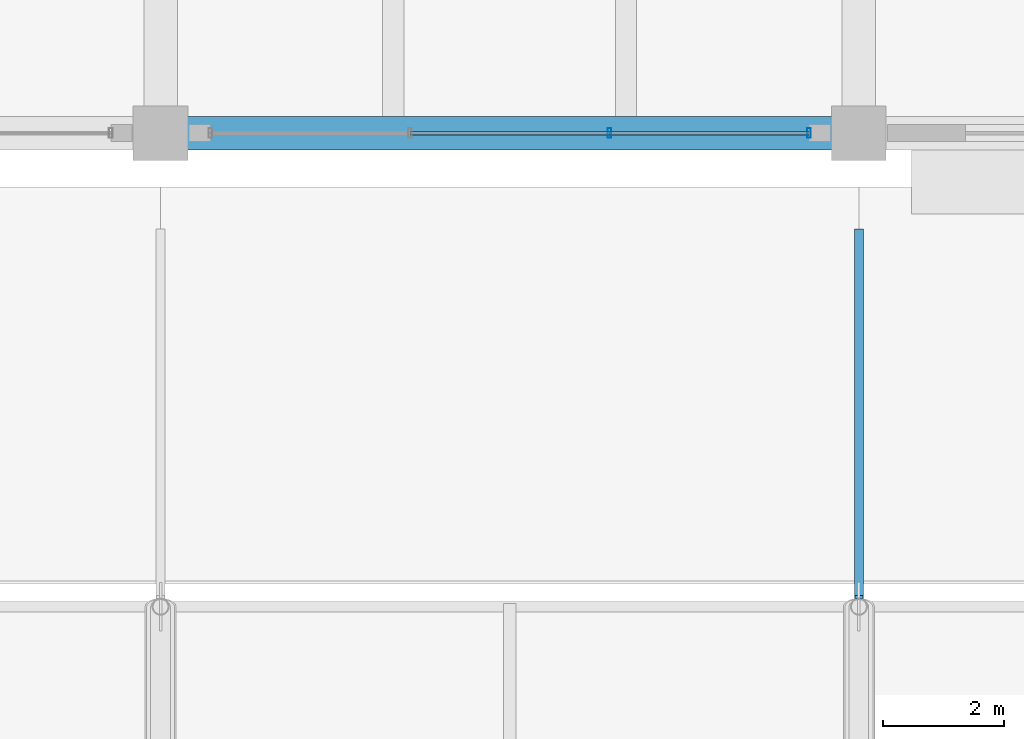
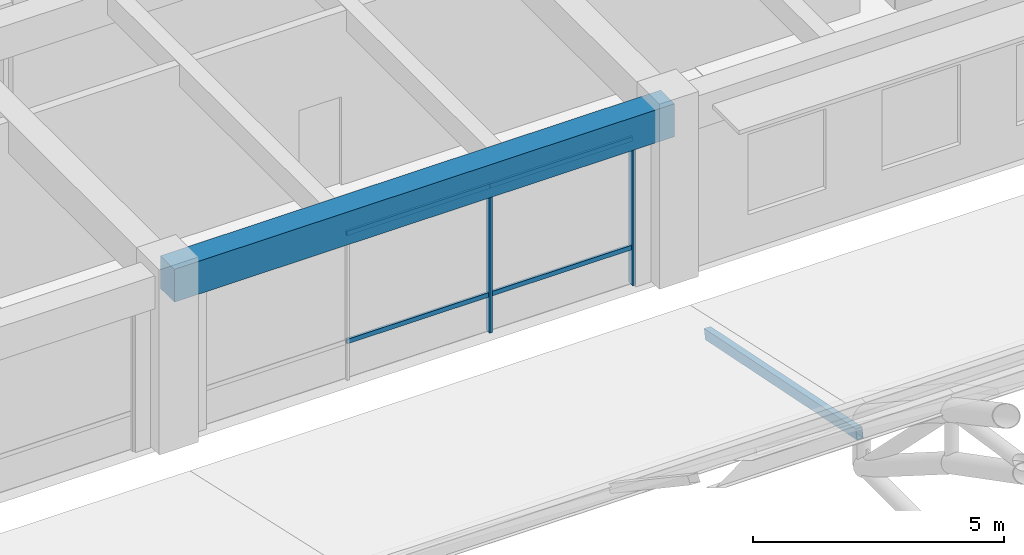
# One storey, part 71 of 154: 7 members, 1 beam, 1 element without a shape of its own.
"""IFC4 building model written with IfcOpenShell, lengths in metres."""

import ifcopenshell
import ifcopenshell.guid

model = None  # the IFC model being written
_history = None  # IfcOwnerHistory: only IFC2X3 demands one
_inside = {}  # id of a spatial element -> (the spatial element, [elements in it])
_under = {}  # id of a project, library or spatial element -> (it, [spatial elements below it])
_declared = {}  # id of a project -> (the project, [libraries it declares])
_typed = {}  # id of a type object -> (the type object, [elements of that type])
_made_of = {}  # id of a material, layer set ... -> (it, [elements and type objects made of it])


def new_model(schema):
    """Start an empty IFC model of exactly this schema.

    Asked for "IFC4X3", IfcOpenShell would pick the latest addendum, in which some entities
    have other attributes; the version numbers below select the first issue.
    IFC2X3 requires an IfcOwnerHistory on every rooted entity: one is made here for all.
    """
    global model, _history
    if schema == "IFC4X3":
        model = ifcopenshell.file(schema_version=(4, 3, 0, 0))
    else:
        model = ifcopenshell.file(schema=schema)
    _inside.clear()
    _under.clear()
    _declared.clear()
    _typed.clear()
    _made_of.clear()
    _history = None
    if model.schema == "IFC2X3":
        org = make("IfcOrganization", Name="unknown")
        user = make(
            "IfcPersonAndOrganization",
            ThePerson=make("IfcPerson", FamilyName="unknown"),
            TheOrganization=org,
        )
        app = make(
            "IfcApplication",
            ApplicationDeveloper=org,
            Version="unknown",
            ApplicationFullName="unknown",
            ApplicationIdentifier="unknown",
        )
        _history = make(
            "IfcOwnerHistory",
            OwningUser=user,
            OwningApplication=app,
            ChangeAction="ADDED",
            CreationDate=0,
        )
    return model


def make(cls, **values):
    """One entity of the class cls with the attributes given. An attribute that is None is left unset."""
    return model.create_entity(
        cls, **{name: value for name, value in values.items() if value is not None}
    )


def rooted(cls, **values):
    """An entity with a GlobalId (a new one), such as an element, a storey or a relation."""
    return make(cls, GlobalId=ifcopenshell.guid.new(), OwnerHistory=_history, **values)


def si_unit(unit_type, name, prefix=None):
    """IfcSIUnit, for example si_unit("LENGTHUNIT", "METRE", prefix="MILLI")."""
    return make("IfcSIUnit", UnitType=unit_type, Prefix=prefix, Name=name)


def assignment(units):
    """IfcUnitAssignment: the units of a project."""
    return None if units is None else make("IfcUnitAssignment", Units=units)


def point(xyz):
    """IfcCartesianPoint."""
    return None if xyz is None else make("IfcCartesianPoint", Coordinates=xyz)


def direction(xyz):
    """IfcDirection."""
    return None if xyz is None else make("IfcDirection", DirectionRatios=xyz)


def frame(location, z_axis=None, x_axis=None):
    """IfcAxis2Placement3D, a coordinate frame: its origin and axes. An axis left out is left unset."""
    return make(
        "IfcAxis2Placement3D",
        Location=point(location),
        Axis=direction(z_axis),
        RefDirection=direction(x_axis),
    )


def frame_2d(location, x_axis=None):
    """IfcAxis2Placement2D, a coordinate frame in the plane: its origin and x axis."""
    return make(
        "IfcAxis2Placement2D", Location=point(location), RefDirection=direction(x_axis)
    )


def origin():
    """The frame at (0, 0, 0) with its axes left unset."""
    return frame((0.0, 0.0, 0.0))


def origin_2d():
    """The frame at (0, 0) in the plane with its x axis left unset."""
    return frame_2d((0.0, 0.0))


def place(relative_to, where):
    """IfcLocalPlacement: puts the frame where relative to a parent placement (None: the world)."""
    return make(
        "IfcLocalPlacement", PlacementRelTo=relative_to, RelativePlacement=where
    )


def context(
    kind, dimensions, precision=None, world=None, true_north=None, identifier=None
):
    """IfcGeometricRepresentationContext, for example the 3D "Model" context."""
    return make(
        "IfcGeometricRepresentationContext",
        ContextIdentifier=identifier,
        ContextType=kind,
        CoordinateSpaceDimension=dimensions,
        Precision=precision,
        WorldCoordinateSystem=world,
        TrueNorth=true_north,
    )


def subcontext(parent, identifier, kind, view, scale=None):
    """IfcGeometricRepresentationSubContext, for example "Body" below "Model"."""
    return make(
        "IfcGeometricRepresentationSubContext",
        ContextIdentifier=identifier,
        ContextType=kind,
        ParentContext=parent,
        TargetScale=scale,
        TargetView=view,
    )


def project(units=None, contexts=None):
    """IfcProject with its units and contexts."""
    return rooted(
        "IfcProject",
        Name="project",
        RepresentationContexts=contexts,
        UnitsInContext=assignment(units),
    )


def spatial(cls, under=None, at=None, **own):
    """A site, building, storey or space (cls), placed at a placement, below another one or the project."""
    s = rooted(cls, ObjectPlacement=at, **own)
    if under is not None:
        _under.setdefault(under.id(), (under, []))[1].append(s)
    return s


def profile(cls, at=None, kind="AREA", **sizes):
    """A parametric profile (cls). Its sizes go by their IFC names, for example OverallWidth=200.0."""
    return make(cls, ProfileType=kind, Position=at, **sizes)


def rectangle(**sizes):
    """IfcRectangleProfileDef."""
    return profile("IfcRectangleProfileDef", **sizes)


def hollow_rectangle(**sizes):
    """IfcRectangleHollowProfileDef."""
    return profile("IfcRectangleHollowProfileDef", **sizes)


def extrude(swept, where, along, depth):
    """IfcExtrudedAreaSolid: the profile swept, set in the frame where, extruded along a direction by depth."""
    return make(
        "IfcExtrudedAreaSolid",
        SweptArea=swept,
        Position=where,
        ExtrudedDirection=direction(along),
        Depth=depth,
    )


def shape(context_of_items, identifier, shape_type, items):
    """IfcShapeRepresentation: the items that make up one representation, for example the "Body"."""
    return make(
        "IfcShapeRepresentation",
        ContextOfItems=context_of_items,
        RepresentationIdentifier=identifier,
        RepresentationType=shape_type,
        Items=items,
    )


def material(Name=None, Category=None):
    """IfcMaterial."""
    return make("IfcMaterial", Name=Name, Category=Category)


def material_profile(
    of_material, cross_section, Name=None, Category=None, Priority=None
):
    """IfcMaterialProfile: a cross section and its material."""
    return make(
        "IfcMaterialProfile",
        Name=Name,
        Material=of_material,
        Profile=cross_section,
        Priority=Priority,
        Category=Category,
    )


def profile_set(profiles, Name=None, composite=None):
    """IfcMaterialProfileSet."""
    return make(
        "IfcMaterialProfileSet",
        Name=Name,
        MaterialProfiles=profiles,
        CompositeProfile=composite,
    )


def made_of(thing, what):
    """Note that an element or type object is made of a material, layer set ...; save() writes the relation."""
    if what is not None:
        _made_of.setdefault(what.id(), (what, []))[1].append(thing)
    return thing


def type_object(cls, material=None, **own):
    """A type object (cls), such as IfcWallType, which elements share."""
    return made_of(rooted(cls, **own), material)


def element(
    cls,
    number,
    at=None,
    inside=None,
    cuts=None,
    type_object=None,
    material=None,
    context=None,
    identifier="Body",
    shape_type=None,
    held_by="IfcProductDefinitionShape",
    body=None,
    shapes=None,
    **own,
):
    """One element of the class cls, such as IfcWall. Its Tag is "e" and its number.

    at: its placement. inside: the storey or other place that contains it. cuts: it is an
    opening in that element (IfcRelVoidsElement). A single representation is given by context,
    identifier, shape_type and body (its items); several are given by shapes. held_by: the class
    of the entity that holds the representations. save() writes the other relations.
    """
    e = rooted(cls, Tag="e%d" % number, ObjectPlacement=at, **own)
    if body is not None:
        shapes = [shape(context, identifier, shape_type, body)]
    if shapes is not None:
        e.Representation = make(held_by, Representations=shapes)
    if inside is not None:
        _inside.setdefault(inside.id(), (inside, []))[1].append(e)
    if cuts is not None:
        rooted(
            "IfcRelVoidsElement", RelatingBuildingElement=cuts, RelatedOpeningElement=e
        )
    if type_object is not None:
        _typed.setdefault(type_object.id(), (type_object, []))[1].append(e)
    return made_of(e, material)


def aggregate(whole, parts):
    """IfcRelAggregates: a whole, such as a stair, and the parts it consists of."""
    return rooted("IfcRelAggregates", RelatingObject=whole, RelatedObjects=parts)


def save(model, path):
    """Write the relations noted so far, then the file.

    IfcRelAggregates (storeys below a building ...), IfcRelContainedInSpatialStructure (elements
    in a storey), IfcRelDefinesByType, IfcRelAssociatesMaterial and IfcRelDeclares: one each for
    every whole, place, type object, material and project.
    """
    for whole, parts in _under.values():
        aggregate(whole, parts)
    for where, things in _inside.values():
        rooted(
            "IfcRelContainedInSpatialStructure",
            RelatedElements=things,
            RelatingStructure=where,
        )
    for kind, things in _typed.values():
        rooted("IfcRelDefinesByType", RelatedObjects=things, RelatingType=kind)
    for what, things in _made_of.values():
        rooted("IfcRelAssociatesMaterial", RelatedObjects=things, RelatingMaterial=what)
    for by, libraries in _declared.values():
        rooted("IfcRelDeclares", RelatingContext=by, RelatedDefinitions=libraries)
    model.write(path)


model = new_model("IFC4")

# Units and contexts
model_context = context("Model", 3, precision=1e-05, world=origin(), true_north=direction((0.0, 1.0)))
body_context = subcontext(model_context, "Body", "Model", "MODEL_VIEW")
ifc_project = project(units=[si_unit("LENGTHUNIT", "METRE"), si_unit("AREAUNIT", "SQUARE_METRE"), si_unit("VOLUMEUNIT", "CUBIC_METRE"), si_unit("PLANEANGLEUNIT", "RADIAN"), si_unit("MASSUNIT", "GRAM", prefix="KILO")], contexts=[model_context])

# Site, building, storey
site_placement = place(None, origin())
site = spatial("IfcSite", under=ifc_project, at=site_placement, CompositionType="ELEMENT")
building_placement = place(site_placement, origin())
building = spatial("IfcBuilding", under=site, at=building_placement, Name="Ologun Quay Terminus", CompositionType="ELEMENT")
storey_placement = place(building_placement, frame((0.0, 0.0, 13.800048828125)))
storey = spatial("IfcBuildingStorey", under=building, at=storey_placement, Name="L03", CompositionType="ELEMENT", Elevation=13.800048828125)

# Curtain wall, members
ifc_material_1 = material(Name="Aluminium 6063-T6", Category="aluminium")
curtain_wall_type = type_object("IfcCurtainWallType", Name="Waterfront Pavilion Harbour Curtain Wall L03 10600x4150", PredefinedType="USERDEFINED", material=ifc_material_1)
curtain_wall_placement = place(storey_placement, origin())
curtain_wall = element("IfcCurtainWall", 1, at=curtain_wall_placement, inside=storey, type_object=curtain_wall_type, Name="CW-25 Curtain Wall CW-L03-110", ObjectType="UNITISED CURTAIN WALL", PredefinedType="USERDEFINED")
ifc_material_2 = material(Name="Aluminium 6063-T6", Category="aluminium")
ifc_material_profile_1 = material_profile(ifc_material_2, hollow_rectangle(XDim=0.06005859375, YDim=0.159912109375, WallThickness=0.00390625, at=origin_2d()), Name="ALU 160x60x4")
ifc_profile_set_1 = profile_set([ifc_material_profile_1], Name="Aluminium 6063-T6")
member_type_1 = type_object("IfcMemberType", Name="Courtyard Screen Mullion 160x65", PredefinedType="MULLION", material=ifc_profile_set_1)
member_1_placement = place(storey_placement, frame((41.893310546875, 85.800048828125, 0.0), z_axis=(0.0, 0.0, 1.0), x_axis=(1.0, 0.0, 0.0)))
member_1 = element("IfcMember", 2, at=member_1_placement, type_object=member_type_1, Name="CW-L03-110 Mullion 3", PredefinedType="MULLION", context=body_context, shape_type="SweptSolid", body=[
    extrude(hollow_rectangle(XDim=0.06005859375, YDim=0.159912109375, WallThickness=0.00390625, at=origin_2d()), origin(), (0.0, 0.0, 1.0), 4.22998046875),
])
member_2_placement = place(storey_placement, frame((45.179931640625, 85.800048828125, 0.0), z_axis=(0.0, 0.0, 1.0), x_axis=(1.0, 0.0, 0.0)))
member_2 = element("IfcMember", 3, at=member_2_placement, type_object=member_type_1, Name="CW-L03-110 Mullion 4", PredefinedType="MULLION", context=body_context, shape_type="SweptSolid", body=[
    extrude(hollow_rectangle(XDim=0.06005859375, YDim=0.159912109375, WallThickness=0.00390625, at=origin_2d()), origin(), (0.0, 0.0, 1.0), 4.22998046875),
])
ifc_material_3 = material(Name="Aluminium 6063-T6", Category="aluminium")
ifc_material_profile_2 = material_profile(ifc_material_3, hollow_rectangle(XDim=0.054931640625, YDim=0.110107421875, WallThickness=0.00390625, at=origin_2d()), Name="ALU 110x55x4")
ifc_profile_set_2 = profile_set([ifc_material_profile_2], Name="Aluminium 6063-T6")
member_type_2 = type_object("IfcMemberType", Name="Courtyard Screen Transom 110x55", PredefinedType="USERDEFINED", material=ifc_profile_set_2)
member_3_placement = place(storey_placement, frame((38.606689453125, 85.800048828125, 0.89990234375), z_axis=(1.0, 0.0, 0.0), x_axis=(0.0, 1.0, 0.0)))
member_3 = element("IfcMember", 4, at=member_3_placement, type_object=member_type_2, Name="CW-L03-110 Transom B2-1", ObjectType="TRANSOM", PredefinedType="USERDEFINED", context=body_context, shape_type="SweptSolid", body=[
    extrude(hollow_rectangle(XDim=0.054931640625, YDim=0.110107421875, WallThickness=0.00390625, at=origin_2d()), origin(), (0.0, 0.0, 1.0), 3.28662109375),
])
member_4_placement = place(storey_placement, frame((38.606689453125, 85.800048828125, 3.530029296875), z_axis=(1.0, 0.0, 0.0), x_axis=(0.0, 1.0, 0.0)))
member_4 = element("IfcMember", 5, at=member_4_placement, type_object=member_type_2, Name="CW-L03-110 Transom B2-2", ObjectType="TRANSOM", PredefinedType="USERDEFINED", context=body_context, shape_type="SweptSolid", body=[
    extrude(hollow_rectangle(XDim=0.054931640625, YDim=0.110107421875, WallThickness=0.00390625, at=origin_2d()), origin(), (0.0, 0.0, 1.0), 3.28662109375),
])
member_5_placement = place(storey_placement, frame((41.893310546875, 85.800048828125, 0.89990234375), z_axis=(1.0, 0.0, 0.0), x_axis=(0.0, 1.0, 0.0)))
member_5 = element("IfcMember", 6, at=member_5_placement, type_object=member_type_2, Name="CW-L03-110 Transom B3-1", ObjectType="TRANSOM", PredefinedType="USERDEFINED", context=body_context, shape_type="SweptSolid", body=[
    extrude(hollow_rectangle(XDim=0.054931640625, YDim=0.110107421875, WallThickness=0.00390625, at=origin_2d()), origin(), (0.0, 0.0, 1.0), 3.28662109375),
])
member_6_placement = place(storey_placement, frame((41.893310546875, 85.800048828125, 3.530029296875), z_axis=(1.0, 0.0, 0.0), x_axis=(0.0, 1.0, 0.0)))
member_6 = element("IfcMember", 7, at=member_6_placement, type_object=member_type_2, Name="CW-L03-110 Transom B3-2", ObjectType="TRANSOM", PredefinedType="USERDEFINED", context=body_context, shape_type="SweptSolid", body=[
    extrude(hollow_rectangle(XDim=0.054931640625, YDim=0.110107421875, WallThickness=0.00390625, at=origin_2d()), origin(), (0.0, 0.0, 1.0), 3.28662109375),
])
aggregate(curtain_wall, [member_1, member_2, member_3, member_4, member_5, member_6])

# Beam
ifc_material_4 = material(Name="Concrete C40/50", Category="concrete")
ifc_material_profile_3 = material_profile(ifc_material_4, rectangle(XDim=0.550048828125, YDim=0.800048828125, at=origin_2d()), Name="RC 550x800")
ifc_profile_set_3 = profile_set([ifc_material_profile_3], Name="Concrete C40/50")
beam_type = type_object("IfcBeamType", Name="Courtyard Wing Primary Girder 550x800", PredefinedType="BEAM", material=ifc_profile_set_3)
beam_placement = place(storey_placement, frame((34.5, 85.800048828125, 3.849853515625), z_axis=(1.0, 0.0, 0.0), x_axis=(0.0, 1.0, 0.0)))
element("IfcBeam", 8, at=beam_placement, inside=storey, type_object=beam_type, Name="B4 Beam 4/G2 L03", PredefinedType="BEAM", context=body_context, shape_type="SweptSolid", body=[
    extrude(rectangle(XDim=0.550048828125, YDim=0.800048828125, at=origin_2d()), origin(), (0.0, 0.0, 1.0), 11.5),
])

# Member
ifc_material_5 = material(Name="Steel S355", Category="steel")
ifc_material_profile_4 = material_profile(ifc_material_5, hollow_rectangle(XDim=0.14990234375, YDim=0.25, WallThickness=0.008056640625, at=origin_2d()), Name="RHS 250x150x8")
ifc_profile_set_4 = profile_set([ifc_material_profile_4], Name="Steel S355")
member_type_3 = type_object("IfcMemberType", Name="Skylight Longitudinal Glazing Bar RHS200", PredefinedType="PURLIN", material=ifc_profile_set_4)
member_7_placement = place(storey_placement, frame((46.0, 84.199951171875, -0.520263671875), z_axis=(0.0, -0.98005285553, 0.19873701308), x_axis=(1.0, 0.0, 0.0)))
element("IfcMember", 9, at=member_7_placement, inside=storey, type_object=member_type_3, Name="SK1 Inclined Roof Rafter L03-NGAL-5", PredefinedType="PURLIN", context=body_context, shape_type="SweptSolid", body=[
    extrude(hollow_rectangle(XDim=0.14990234375, YDim=0.25, WallThickness=0.008056640625, at=origin_2d()), origin(), (0.0, 0.0, 1.0), 6.16064453125),
])

save(model, "model.ifc")
